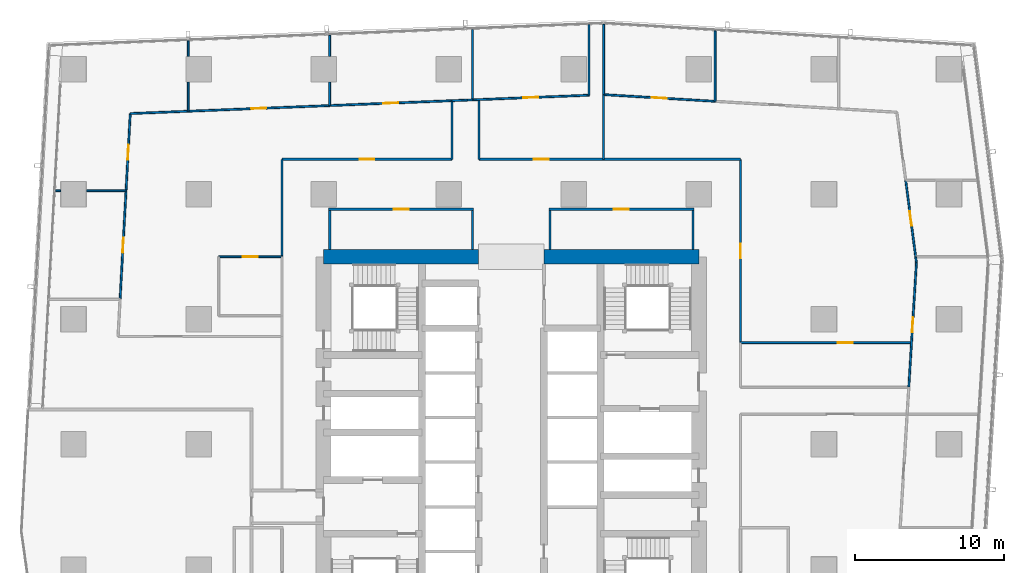
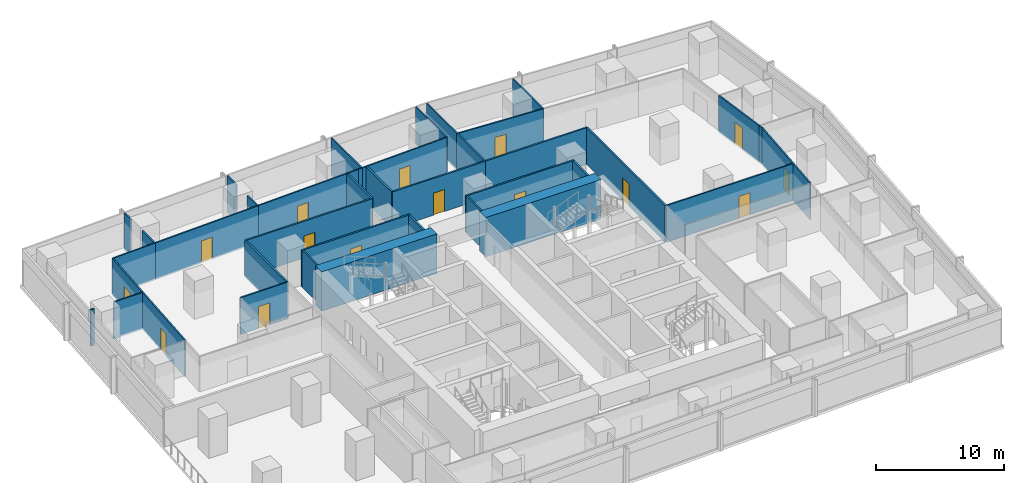
# One storey, part 29 of 38: 40 walls, 15 doors, 15 openings.
"""IFC4 building model written with IfcOpenShell, lengths in metres."""

from ifc_helpers import new_model, si_unit, direction, frame, frame_2d, origin, place, context, subcontext, project, spatial, rectangle, extrude, material, layer, layer_set, type_object, element, fill, save


model = new_model("IFC4")

# Units and contexts
model_context = context("Model", 3, precision=1e-05, world=origin(), true_north=direction((0.0, 1.0)))
body_context = subcontext(model_context, "Body", "Model", "MODEL_VIEW")
ifc_project = project(units=[si_unit("LENGTHUNIT", "METRE"), si_unit("AREAUNIT", "SQUARE_METRE"), si_unit("VOLUMEUNIT", "CUBIC_METRE"), si_unit("PLANEANGLEUNIT", "RADIAN"), si_unit("MASSUNIT", "GRAM", prefix="KILO")], contexts=[model_context])

# Site, building, storey
site_placement = place(None, origin())
site = spatial("IfcSite", under=ifc_project, at=site_placement, CompositionType="ELEMENT")
building_placement = place(site_placement, origin())
building = spatial("IfcBuilding", under=site, at=building_placement, Name="Rekha Terrace Tower", CompositionType="ELEMENT")
storey_placement = place(building_placement, frame((0.0, 0.0, 114.050048828125)))
storey = spatial("IfcBuildingStorey", under=building, at=storey_placement, Name="L28", CompositionType="ELEMENT", Elevation=114.050048828125)

# Walls
ifc_material_1 = material(Name="Concrete M70", Category="concrete")
ifc_layer_1 = layer(ifc_material_1, 1.0)
ifc_layer_set_1 = layer_set([ifc_layer_1], Name="Concrete M70")
wall_type_1 = type_object("IfcWallType", Name="SW2 1000 core outer shear wall", PredefinedType="SHEAR", material=ifc_layer_set_1)
wall_1_placement = place(storey_placement, frame((25.199951171875, 46.199951171875, 0.0), z_axis=(0.0, 0.0, 1.0), x_axis=(1.0, 0.0, 0.0)))
element("IfcWall", 1, at=wall_1_placement, inside=storey, type_object=wall_type_1, Name="Core wall N1 L28", PredefinedType="SHEAR", context=body_context, shape_type="SweptSolid", body=[
    extrude(rectangle(XDim=10.400146484375, YDim=1.0, at=frame_2d((5.2001953125, 0.0))), origin(), (0.0, 0.0, 1.0), 3.75),
])
wall_2_placement = place(storey_placement, frame((40.0, 46.199951171875, 0.0), z_axis=(0.0, 0.0, 1.0), x_axis=(1.0, 0.0, 0.0)))
element("IfcWall", 2, at=wall_2_placement, inside=storey, type_object=wall_type_1, Name="Core wall N2 L28", PredefinedType="SHEAR", context=body_context, shape_type="SweptSolid", body=[
    extrude(rectangle(XDim=10.39990234375, YDim=1.0, at=frame_2d((5.199951171875, 0.0))), origin(), (0.0, 0.0, 1.0), 3.75),
])

# Wall, opening, door
ifc_material_2 = material(Name="Concrete block masonry, 1 hour", Category="masonry")
ifc_layer_2 = layer(ifc_material_2, 0.14990234375)
ifc_layer_set_2 = layer_set([ifc_layer_2], Name="Concrete block masonry, 1 hour")
wall_type_2 = type_object("IfcWallType", Name="WP2 150 tenancy partition", PredefinedType="PARTITIONING", material=ifc_layer_set_2)
wall_3_placement = place(storey_placement, frame((40.324951171875, 49.39990234375, 0.0), z_axis=(0.0, 0.0, 1.0), x_axis=(1.0, 0.0, 0.0)))
wall_3 = element("IfcWall", 3, at=wall_3_placement, inside=storey, type_object=wall_type_2, Name="Women's WC wall L28", PredefinedType="PARTITIONING", context=body_context, shape_type="SweptSolid", body=[
    extrude(rectangle(XDim=9.75, YDim=0.14990234375, at=frame_2d((4.875, 0.0))), origin(), (0.0, 0.0, 1.0), 3.5),
])
opening_1_placement = place(wall_3_placement, frame((4.375, 0.0, 0.0)))
opening_1 = element("IfcOpeningElement", 4, at=opening_1_placement, cuts=wall_3, Name="Opening D3", PredefinedType="OPENING", context=body_context, shape_type="SweptSolid", body=[
    extrude(rectangle(XDim=1.0, YDim=2.10009765625, at=frame_2d((0.5, 1.050048828125))), frame((0.0, 0.0849609375, 0.0), z_axis=(0.0, -1.0, 0.0), x_axis=(1.0, 0.0, 0.0)), (0.0, 0.0, 1.0), 0.169921875),
])
ifc_material_3 = material(Name="Laminated timber fire door", Category="wood")
door_type_1 = type_object("IfcDoorType", Name="D3 1000x2100 WC door", OperationType="SINGLE_SWING_LEFT", PredefinedType="DOOR", material=ifc_material_3)
door_1_placement = place(opening_1_placement, origin())
door_1 = element("IfcDoor", 5, at=door_1_placement, inside=storey, type_object=door_type_1, Name="Door women's wc L28", OperationType="SINGLE_SWING_LEFT", OverallHeight=2.10009765625, OverallWidth=1.0, PredefinedType="DOOR", context=body_context, shape_type="SweptSolid", body=[
    extrude(rectangle(XDim=1.0, YDim=2.10009765625, at=frame_2d((0.5, 1.050048828125))), frame((0.0, 0.02490234375, 0.0), z_axis=(0.0, -1.0, 0.0), x_axis=(1.0, 0.0, 0.0)), (0.0, 0.0, 1.0), 0.050048828125),
])
fill(opening_1, door_1)

# Walls
for number, where, z_axis, x_axis, name in (
    (6, (40.39990234375, 46.699951171875, 0.0), (0.0, 0.0, 1.0), (0.0, 1.0, 0.0), "Women's WC wall L28"),
    (7, (50.0, 46.699951171875, 0.0), (0.0, 0.0, 1.0), (0.0, 1.0, 0.0), "Women's WC wall L28"),
):
    element("IfcWall", number, at=place(storey_placement, frame(where, z_axis=z_axis, x_axis=x_axis)), inside=storey, type_object=wall_type_2, Name=name, PredefinedType="PARTITIONING", context=body_context, shape_type="SweptSolid", body=[
        extrude(rectangle(XDim=2.625, YDim=0.14990234375, at=frame_2d((1.3125, 0.0))), origin(), (0.0, 0.0, 1.0), 3.5),
    ])

# Wall, opening, door
wall_4_placement = place(storey_placement, frame((25.52490234375, 49.39990234375, 0.0), z_axis=(0.0, 0.0, 1.0), x_axis=(1.0, 0.0, 0.0)))
wall_4 = element("IfcWall", 8, at=wall_4_placement, inside=storey, type_object=wall_type_2, Name="Women's WC wall L28", PredefinedType="PARTITIONING", context=body_context, shape_type="SweptSolid", body=[
    extrude(rectangle(XDim=9.75, YDim=0.14990234375, at=frame_2d((4.875, 0.0))), origin(), (0.0, 0.0, 1.0), 3.5),
])
opening_2_placement = place(wall_4_placement, frame((4.375, 0.0, 0.0)))
opening_2 = element("IfcOpeningElement", 9, at=opening_2_placement, cuts=wall_4, Name="Opening D3", PredefinedType="OPENING", context=body_context, shape_type="SweptSolid", body=[
    extrude(rectangle(XDim=1.0, YDim=2.10009765625, at=frame_2d((0.5, 1.050048828125))), frame((0.0, 0.0849609375, 0.0), z_axis=(0.0, -1.0, 0.0), x_axis=(1.0, 0.0, 0.0)), (0.0, 0.0, 1.0), 0.169921875),
])
door_2_placement = place(opening_2_placement, origin())
door_2 = element("IfcDoor", 10, at=door_2_placement, inside=storey, type_object=door_type_1, Name="Door women's wc L28", OperationType="SINGLE_SWING_LEFT", OverallHeight=2.10009765625, OverallWidth=1.0, PredefinedType="DOOR", context=body_context, shape_type="SweptSolid", body=[
    extrude(rectangle(XDim=1.0, YDim=2.10009765625, at=frame_2d((0.5, 1.050048828125))), frame((0.0, 0.02490234375, 0.0), z_axis=(0.0, -1.0, 0.0), x_axis=(1.0, 0.0, 0.0)), (0.0, 0.0, 1.0), 0.050048828125),
])
fill(opening_2, door_2)

# Walls
for number, where, z_axis, x_axis, name in (
    (11, (25.60009765625, 46.699951171875, 0.0), (0.0, 0.0, 1.0), (0.0, 1.0, 0.0), "Women's WC wall L28"),
    (12, (35.199951171875, 46.699951171875, 0.0), (0.0, 0.0, 1.0), (0.0, 1.0, 0.0), "Women's WC wall L28"),
):
    element("IfcWall", number, at=place(storey_placement, frame(where, z_axis=z_axis, x_axis=x_axis)), inside=storey, type_object=wall_type_2, Name=name, PredefinedType="PARTITIONING", context=body_context, shape_type="SweptSolid", body=[
        extrude(rectangle(XDim=2.625, YDim=0.14990234375, at=frame_2d((1.3125, 0.0))), origin(), (0.0, 0.0, 1.0), 3.5),
    ])

# Wall, opening, door
wall_5_placement = place(storey_placement, frame((53.199951171875, 40.43310546875, 0.0), z_axis=(0.0, 0.0, 1.0), x_axis=(0.0, 1.0, 0.0)))
wall_5 = element("IfcWall", 13, at=wall_5_placement, inside=storey, type_object=wall_type_2, Name="Partition L28-O1", PredefinedType="PARTITIONING", context=body_context, shape_type="SweptSolid", body=[
    extrude(rectangle(XDim=12.31689453125, YDim=0.14990234375, at=frame_2d((6.158447265625, 0.0))), origin(), (0.0, 0.0, 1.0), 3.5),
])
opening_3_placement = place(wall_5_placement, frame((5.657958984375, 0.0, 0.0)))
opening_3 = element("IfcOpeningElement", 14, at=opening_3_placement, cuts=wall_5, Name="Opening D9", PredefinedType="OPENING", context=body_context, shape_type="SweptSolid", body=[
    extrude(rectangle(XDim=1.0, YDim=2.10009765625, at=frame_2d((0.5, 1.050048828125))), frame((0.0, 0.0849609375, 0.0), z_axis=(0.0, -1.0, 0.0), x_axis=(1.0, 0.0, 0.0)), (0.0, 0.0, 1.0), 0.169921875),
])
ifc_material_4 = material(Name="Timber fire door", Category="wood")
door_type_2 = type_object("IfcDoorType", Name="D9 1000x2100 office door", OperationType="SINGLE_SWING_LEFT", PredefinedType="DOOR", material=ifc_material_4)
door_3_placement = place(opening_3_placement, origin())
door_3 = element("IfcDoor", 15, at=door_3_placement, inside=storey, type_object=door_type_2, Name="Door open-plan office L28", OperationType="SINGLE_SWING_LEFT", OverallHeight=2.10009765625, OverallWidth=1.0, PredefinedType="DOOR", context=body_context, shape_type="SweptSolid", body=[
    extrude(rectangle(XDim=1.0, YDim=2.10009765625, at=frame_2d((0.5, 1.050048828125))), frame((0.0, 0.02490234375, 0.0), z_axis=(0.0, -1.0, 0.0), x_axis=(1.0, 0.0, 0.0)), (0.0, 0.0, 1.0), 0.050048828125),
])
fill(opening_3, door_3)

# Walls
wall_6_placement = place(storey_placement, frame((53.199951171875, 52.75, 0.0), z_axis=(0.0, 0.0, 1.0), x_axis=(-1.0, 0.0, 0.0)))
element("IfcWall", 16, at=wall_6_placement, inside=storey, type_object=wall_type_2, Name="Partition L28-O1", PredefinedType="PARTITIONING", context=body_context, shape_type="SweptSolid", body=[
    extrude(rectangle(XDim=9.196044921875, YDim=0.14990234375, at=frame_2d((4.59814453125, 0.0))), origin(), (0.0, 0.0, 1.0), 3.5),
])
wall_7_placement = place(storey_placement, frame((44.00390625, 52.75, 0.0), z_axis=(0.0, 0.0, 1.0), x_axis=(0.0, 1.0, 0.0)))
element("IfcWall", 17, at=wall_7_placement, inside=storey, type_object=wall_type_2, Name="Partition L28-O1", PredefinedType="PARTITIONING", context=body_context, shape_type="SweptSolid", body=[
    extrude(rectangle(XDim=4.343017578125, YDim=0.14990234375, at=frame_2d((2.17138671875, 0.0))), origin(), (0.0, 0.0, 1.0), 3.5),
])
wall_8_placement = place(storey_placement, frame((33.825927734375, 56.68701171875, 0.0), z_axis=(0.0, 0.0, 1.0), x_axis=(0.0, -1.0, 0.0)))
element("IfcWall", 18, at=wall_8_placement, inside=storey, type_object=wall_type_2, Name="Partition L28-O2", PredefinedType="PARTITIONING", context=body_context, shape_type="SweptSolid", body=[
    extrude(rectangle(XDim=3.93701171875, YDim=0.14990234375, at=frame_2d((1.968505859375, 0.0))), origin(), (0.0, 0.0, 1.0), 3.5),
])

# Wall, opening, door
wall_9_placement = place(storey_placement, frame((33.825927734375, 52.75, 0.0), z_axis=(0.0, 0.0, 1.0), x_axis=(-1.0, 0.0, 0.0)))
wall_9 = element("IfcWall", 19, at=wall_9_placement, inside=storey, type_object=wall_type_2, Name="Partition L28-O2", PredefinedType="PARTITIONING", context=body_context, shape_type="SweptSolid", body=[
    extrude(rectangle(XDim=11.426025390625, YDim=0.14990234375, at=frame_2d((5.712890625, 0.0))), origin(), (0.0, 0.0, 1.0), 3.5),
])
opening_4_placement = place(wall_9_placement, frame((5.212890625, 0.0, 0.0)))
opening_4 = element("IfcOpeningElement", 20, at=opening_4_placement, cuts=wall_9, Name="Opening D9", PredefinedType="OPENING", context=body_context, shape_type="SweptSolid", body=[
    extrude(rectangle(XDim=1.0, YDim=2.10009765625, at=frame_2d((0.5, 1.050048828125))), frame((0.0, 0.0849609375, 0.0), z_axis=(0.0, -1.0, 0.0), x_axis=(1.0, 0.0, 0.0)), (0.0, 0.0, 1.0), 0.169921875),
])
door_4_placement = place(opening_4_placement, origin())
door_4 = element("IfcDoor", 21, at=door_4_placement, inside=storey, type_object=door_type_2, Name="Door open-plan office L28", OperationType="SINGLE_SWING_LEFT", OverallHeight=2.10009765625, OverallWidth=1.0, PredefinedType="DOOR", context=body_context, shape_type="SweptSolid", body=[
    extrude(rectangle(XDim=1.0, YDim=2.10009765625, at=frame_2d((0.5, 1.050048828125))), frame((0.0, 0.02490234375, 0.0), z_axis=(0.0, -1.0, 0.0), x_axis=(1.0, 0.0, 0.0)), (0.0, 0.0, 1.0), 0.050048828125),
])
fill(opening_4, door_4)

# Wall
wall_10_placement = place(storey_placement, frame((22.39990234375, 52.75, 0.0), z_axis=(0.0, 0.0, 1.0), x_axis=(0.0, -1.0, 0.0)))
element("IfcWall", 22, at=wall_10_placement, inside=storey, type_object=wall_type_2, Name="Partition L28-O2", PredefinedType="PARTITIONING", context=body_context, shape_type="SweptSolid", body=[
    extrude(rectangle(XDim=6.550048828125, YDim=0.14990234375, at=frame_2d((3.27490234375, 0.0))), origin(), (0.0, 0.0, 1.0), 3.5),
])

# Wall, opening, door
wall_11_placement = place(storey_placement, frame((44.0029296875, 52.75, 0.0), z_axis=(0.0, 0.0, 1.0), x_axis=(-1.0, 0.0, 0.0)))
wall_11 = element("IfcWall", 23, at=wall_11_placement, inside=storey, type_object=wall_type_2, Name="Partition L28-O2b", PredefinedType="PARTITIONING", context=body_context, shape_type="SweptSolid", body=[
    extrude(rectangle(XDim=8.376953125, YDim=0.14990234375, at=frame_2d((4.1884765625, 0.0))), origin(), (0.0, 0.0, 1.0), 3.5),
])
opening_5_placement = place(wall_11_placement, frame((3.68896484375, 0.0, 0.0)))
opening_5 = element("IfcOpeningElement", 24, at=opening_5_placement, cuts=wall_11, Name="Opening D9", PredefinedType="OPENING", context=body_context, shape_type="SweptSolid", body=[
    extrude(rectangle(XDim=1.0, YDim=2.10009765625, at=frame_2d((0.5, 1.050048828125))), frame((0.0, 0.0849609375, 0.0), z_axis=(0.0, -1.0, 0.0), x_axis=(1.0, 0.0, 0.0)), (0.0, 0.0, 1.0), 0.169921875),
])
door_5_placement = place(opening_5_placement, origin())
door_5 = element("IfcDoor", 25, at=door_5_placement, inside=storey, type_object=door_type_2, Name="Door open-plan office L28", OperationType="SINGLE_SWING_LEFT", OverallHeight=2.10009765625, OverallWidth=1.0, PredefinedType="DOOR", context=body_context, shape_type="SweptSolid", body=[
    extrude(rectangle(XDim=1.0, YDim=2.10009765625, at=frame_2d((0.5, 1.050048828125))), frame((0.0, 0.02490234375, 0.0), z_axis=(0.0, -1.0, 0.0), x_axis=(1.0, 0.0, 0.0)), (0.0, 0.0, 1.0), 0.050048828125),
])
fill(opening_5, door_5)

# Wall
wall_12_placement = place(storey_placement, frame((35.6259765625, 52.75, 0.0), z_axis=(0.0, 0.0, 1.0), x_axis=(0.0, 1.0, 0.0)))
element("IfcWall", 26, at=wall_12_placement, inside=storey, type_object=wall_type_2, Name="Partition L28-O2b", PredefinedType="PARTITIONING", context=body_context, shape_type="SweptSolid", body=[
    extrude(rectangle(XDim=3.946044921875, YDim=0.14990234375, at=frame_2d((1.97314453125, 0.0))), origin(), (0.0, 0.0, 1.0), 3.5),
])

# Wall, opening, door
ifc_material_5 = material(Name="Two layers of fire-rated gypsum board each side on steel studs, acoustic quilt, 1 hour", Category="steel")
ifc_layer_3 = layer(ifc_material_5, 0.125)
ifc_layer_set_3 = layer_set([ifc_layer_3], Name="Two layers of fire-rated gypsum board each side on steel studs, acoustic quilt, 1 hour")
wall_type_3 = type_object("IfcWallType", Name="WP3 125 office partition", PredefinedType="PARTITIONING", material=ifc_layer_set_3)
wall_13_placement = place(storey_placement, frame((64.50390625, 37.43701171875, 0.0), z_axis=(0.0, 0.0, 1.0), x_axis=(0.061198263672, 0.99812562963, 0.0)))
wall_13 = element("IfcWall", 27, at=wall_13_placement, inside=storey, type_object=wall_type_3, Name="Partition L28-06", PredefinedType="PARTITIONING", context=body_context, shape_type="SweptSolid", body=[
    extrude(rectangle(XDim=8.385498046875, YDim=0.125, at=frame_2d((4.19287109375, 0.0))), origin(), (0.0, 0.0, 1.0), 3.5),
])
opening_6_placement = place(wall_13_placement, frame((3.693115234375, 0.0, 0.0)))
opening_6 = element("IfcOpeningElement", 28, at=opening_6_placement, cuts=wall_13, Name="Opening D9", PredefinedType="OPENING", context=body_context, shape_type="SweptSolid", body=[
    extrude(rectangle(XDim=1.0, YDim=2.10009765625, at=frame_2d((0.5, 1.050048828125))), frame((0.0, 0.072509765625, 0.0), z_axis=(0.0, -1.0, 0.0), x_axis=(1.0, 0.0, 0.0)), (0.0, 0.0, 1.0), 0.14501953125),
])
door_6_placement = place(opening_6_placement, origin())
door_6 = element("IfcDoor", 29, at=door_6_placement, inside=storey, type_object=door_type_2, Name="Door office L28", OperationType="SINGLE_SWING_LEFT", OverallHeight=2.10009765625, OverallWidth=1.0, PredefinedType="DOOR", context=body_context, shape_type="SweptSolid", body=[
    extrude(rectangle(XDim=1.0, YDim=2.10009765625, at=frame_2d((0.5, 1.050048828125))), frame((0.0, 0.02490234375, 0.0), z_axis=(0.0, -1.0, 0.0), x_axis=(1.0, 0.0, 0.0)), (0.0, 0.0, 1.0), 0.050048828125),
])
fill(opening_6, door_6)

# Wall
wall_14_placement = place(storey_placement, frame((65.01708984375, 45.806884765625, 0.0), z_axis=(0.0, 0.0, 1.0), x_axis=(-0.130003962442, 0.991513474316, 0.0)))
element("IfcWall", 30, at=wall_14_placement, inside=storey, type_object=wall_type_3, Name="Partition L28-06", PredefinedType="PARTITIONING", context=body_context, shape_type="SweptSolid", body=[
    extrude(rectangle(XDim=0.392578125, YDim=0.125, at=frame_2d((0.1962890625, 0.0))), origin(), (0.0, 0.0, 1.0), 3.5),
])

# Wall, opening, door
wall_15_placement = place(storey_placement, frame((64.966064453125, 46.197021484375, 0.0), z_axis=(0.0, 0.0, 1.0), x_axis=(-0.12903517346, 0.99164001735, 0.0)))
wall_15 = element("IfcWall", 31, at=wall_15_placement, inside=storey, type_object=wall_type_3, Name="Partition L28-07", PredefinedType="PARTITIONING", context=body_context, shape_type="SweptSolid", body=[
    extrude(rectangle(XDim=5.184326171875, YDim=0.125, at=frame_2d((2.59228515625, 0.0))), origin(), (0.0, 0.0, 1.0), 3.5),
])
opening_7_placement = place(wall_15_placement, frame((2.092041015625, 0.0, 0.0)))
opening_7 = element("IfcOpeningElement", 32, at=opening_7_placement, cuts=wall_15, Name="Opening D9", PredefinedType="OPENING", context=body_context, shape_type="SweptSolid", body=[
    extrude(rectangle(XDim=1.0, YDim=2.10009765625, at=frame_2d((0.5, 1.050048828125))), frame((0.0, 0.072509765625, 0.0), z_axis=(0.0, -1.0, 0.0), x_axis=(1.0, 0.0, 0.0)), (0.0, 0.0, 1.0), 0.14501953125),
])
door_7_placement = place(opening_7_placement, origin())
door_7 = element("IfcDoor", 33, at=door_7_placement, inside=storey, type_object=door_type_2, Name="Door office L28", OperationType="SINGLE_SWING_LEFT", OverallHeight=2.10009765625, OverallWidth=1.0, PredefinedType="DOOR", context=body_context, shape_type="SweptSolid", body=[
    extrude(rectangle(XDim=1.0, YDim=2.10009765625, at=frame_2d((0.5, 1.050048828125))), frame((0.0, 0.02490234375, 0.0), z_axis=(0.0, -1.0, 0.0), x_axis=(1.0, 0.0, 0.0)), (0.0, 0.0, 1.0), 0.050048828125),
])
fill(opening_7, door_7)

# Wall
wall_16_placement = place(storey_placement, frame((51.4951171875, 56.64306640625, 0.0), z_axis=(0.0, 0.0, 1.0), x_axis=(0.0, 1.0, 0.0)))
element("IfcWall", 34, at=wall_16_placement, inside=storey, type_object=wall_type_3, Name="Partition L28-09", PredefinedType="PARTITIONING", context=body_context, shape_type="SweptSolid", body=[
    extrude(rectangle(XDim=4.72900390625, YDim=0.125, at=frame_2d((2.364501953125, 0.0))), origin(), (0.0, 0.0, 1.0), 3.5),
])

# Wall, opening, door
wall_17_placement = place(storey_placement, frame((51.493896484375, 56.64306640625, 0.0), z_axis=(0.0, 0.0, 1.0), x_axis=(-0.998200446595, 0.059965560255, 0.0)))
wall_17 = element("IfcWall", 35, at=wall_17_placement, inside=storey, type_object=wall_type_3, Name="Partition L28-10", PredefinedType="PARTITIONING", context=body_context, shape_type="SweptSolid", body=[
    extrude(rectangle(XDim=7.50341796875, YDim=0.125, at=frame_2d((3.751708984375, 0.0))), origin(), (0.0, 0.0, 1.0), 3.5),
])
opening_8_placement = place(wall_17_placement, frame((3.251953125, 0.0, 0.0)))
opening_8 = element("IfcOpeningElement", 36, at=opening_8_placement, cuts=wall_17, Name="Opening D9", PredefinedType="OPENING", context=body_context, shape_type="SweptSolid", body=[
    extrude(rectangle(XDim=1.0, YDim=2.10009765625, at=frame_2d((0.5, 1.050048828125))), frame((0.0, 0.072509765625, 0.0), z_axis=(0.0, -1.0, 0.0), x_axis=(1.0, 0.0, 0.0)), (0.0, 0.0, 1.0), 0.14501953125),
])
door_8_placement = place(opening_8_placement, origin())
door_8 = element("IfcDoor", 37, at=door_8_placement, inside=storey, type_object=door_type_2, Name="Door office L28", OperationType="SINGLE_SWING_LEFT", OverallHeight=2.10009765625, OverallWidth=1.0, PredefinedType="DOOR", context=body_context, shape_type="SweptSolid", body=[
    extrude(rectangle(XDim=1.0, YDim=2.10009765625, at=frame_2d((0.5, 1.050048828125))), frame((0.0, 0.02490234375, 0.0), z_axis=(0.0, -1.0, 0.0), x_axis=(1.0, 0.0, 0.0)), (0.0, 0.0, 1.0), 0.050048828125),
])
fill(opening_8, door_8)

# Wall
wall_18_placement = place(storey_placement, frame((44.00390625, 57.093017578125, 0.0), z_axis=(0.0, 0.0, 1.0), x_axis=(0.0, 1.0, 0.0)))
element("IfcWall", 38, at=wall_18_placement, inside=storey, type_object=wall_type_3, Name="Partition L28-10", PredefinedType="PARTITIONING", context=body_context, shape_type="SweptSolid", body=[
    extrude(rectangle(XDim=4.72607421875, YDim=0.125, at=frame_2d((2.363037109375, 0.0))), origin(), (0.0, 0.0, 1.0), 3.5),
])

# Wall, opening, door
wall_19_placement = place(storey_placement, frame((53.199951171875, 40.43310546875, 0.0), z_axis=(0.0, 0.0, 1.0), x_axis=(1.0, 0.0, 0.0)))
wall_19 = element("IfcWall", 39, at=wall_19_placement, inside=storey, type_object=wall_type_3, Name="Partition L28-12", PredefinedType="PARTITIONING", context=body_context, shape_type="SweptSolid", body=[
    extrude(rectangle(XDim=11.425048828125, YDim=0.125, at=frame_2d((5.71240234375, 0.0))), origin(), (0.0, 0.0, 1.0), 3.5),
])
opening_9_placement = place(wall_19_placement, frame((6.5439453125, 0.0, 0.0)))
opening_9 = element("IfcOpeningElement", 40, at=opening_9_placement, cuts=wall_19, Name="Opening D9", PredefinedType="OPENING", context=body_context, shape_type="SweptSolid", body=[
    extrude(rectangle(XDim=1.0, YDim=2.10009765625, at=frame_2d((0.5, 1.050048828125))), frame((0.0, 0.072509765625, 0.0), z_axis=(0.0, -1.0, 0.0), x_axis=(1.0, 0.0, 0.0)), (0.0, 0.0, 1.0), 0.14501953125),
])
door_9_placement = place(opening_9_placement, origin())
door_9 = element("IfcDoor", 41, at=door_9_placement, inside=storey, type_object=door_type_2, Name="Door meeting room L28", OperationType="SINGLE_SWING_LEFT", OverallHeight=2.10009765625, OverallWidth=1.0, PredefinedType="DOOR", context=body_context, shape_type="SweptSolid", body=[
    extrude(rectangle(XDim=1.0, YDim=2.10009765625, at=frame_2d((0.5, 1.050048828125))), frame((0.0, 0.02490234375, 0.0), z_axis=(0.0, -1.0, 0.0), x_axis=(1.0, 0.0, 0.0)), (0.0, 0.0, 1.0), 0.050048828125),
])
fill(opening_9, door_9)

wall_20_placement = place(storey_placement, frame((43.02294921875, 57.054931640625, 0.0), z_axis=(0.0, 0.0, 1.0), x_axis=(-0.999200609991, -0.039976755672, 0.0)))
wall_20 = element("IfcWall", 42, at=wall_20_placement, inside=storey, type_object=wall_type_3, Name="Partition L28-13", PredefinedType="PARTITIONING", context=body_context, shape_type="SweptSolid", body=[
    extrude(rectangle(XDim=7.829345703125, YDim=0.125, at=frame_2d((3.91455078125, 0.0))), origin(), (0.0, 0.0, 1.0), 3.5),
])
opening_10_placement = place(wall_20_placement, frame((3.4150390625, 0.0, 0.0)))
opening_10 = element("IfcOpeningElement", 43, at=opening_10_placement, cuts=wall_20, Name="Opening D9", PredefinedType="OPENING", context=body_context, shape_type="SweptSolid", body=[
    extrude(rectangle(XDim=1.0, YDim=2.10009765625, at=frame_2d((0.5, 1.050048828125))), frame((0.0, 0.072509765625, 0.0), z_axis=(0.0, -1.0, 0.0), x_axis=(1.0, 0.0, 0.0)), (0.0, 0.0, 1.0), 0.14501953125),
])
door_10_placement = place(opening_10_placement, origin())
door_10 = element("IfcDoor", 44, at=door_10_placement, inside=storey, type_object=door_type_2, Name="Door office L28", OperationType="SINGLE_SWING_LEFT", OverallHeight=2.10009765625, OverallWidth=1.0, PredefinedType="DOOR", context=body_context, shape_type="SweptSolid", body=[
    extrude(rectangle(XDim=1.0, YDim=2.10009765625, at=frame_2d((0.5, 1.050048828125))), frame((0.0, 0.02490234375, 0.0), z_axis=(0.0, -1.0, 0.0), x_axis=(1.0, 0.0, 0.0)), (0.0, 0.0, 1.0), 0.050048828125),
])
fill(opening_10, door_10)

# Walls
wall_21_placement = place(storey_placement, frame((35.199951171875, 56.741943359375, 0.0), z_axis=(0.0, 0.0, 1.0), x_axis=(0.0, 1.0, 0.0)))
element("IfcWall", 45, at=wall_21_placement, inside=storey, type_object=wall_type_3, Name="Partition L28-13", PredefinedType="PARTITIONING", context=body_context, shape_type="SweptSolid", body=[
    extrude(rectangle(XDim=4.72412109375, YDim=0.125, at=frame_2d((2.362060546875, 0.0))), origin(), (0.0, 0.0, 1.0), 3.5),
])
wall_22_placement = place(storey_placement, frame((43.02294921875, 61.80908203125, 0.0), z_axis=(0.0, 0.0, 1.0), x_axis=(0.0, -1.0, 0.0)))
element("IfcWall", 46, at=wall_22_placement, inside=storey, type_object=wall_type_3, Name="Partition L28-13", PredefinedType="PARTITIONING", context=body_context, shape_type="SweptSolid", body=[
    extrude(rectangle(XDim=4.754150390625, YDim=0.125, at=frame_2d((2.376953125, 0.0))), origin(), (0.0, 0.0, 1.0), 3.5),
])
wall_23_placement = place(storey_placement, frame((35.198974609375, 56.741943359375, 0.0), z_axis=(0.0, 0.0, 1.0), x_axis=(-0.999152976468, -0.041150086459, 0.0)))
element("IfcWall", 47, at=wall_23_placement, inside=storey, type_object=wall_type_3, Name="Partition L28-14", PredefinedType="PARTITIONING", context=body_context, shape_type="SweptSolid", body=[
    extrude(rectangle(XDim=0.338134765625, YDim=0.125, at=frame_2d((0.1689453125, 0.0))), origin(), (0.0, 0.0, 1.0), 3.5),
])
wall_24_placement = place(storey_placement, frame((34.861083984375, 56.72802734375, 0.0), z_axis=(0.0, 0.0, 1.0), x_axis=(-0.999215946215, -0.039591575227, 0.0)))
element("IfcWall", 48, at=wall_24_placement, inside=storey, type_object=wall_type_3, Name="Partition L28-14", PredefinedType="PARTITIONING", context=body_context, shape_type="SweptSolid", body=[
    extrude(rectangle(XDim=1.035888671875, YDim=0.125, at=frame_2d((0.51806640625, 0.0))), origin(), (0.0, 0.0, 1.0), 3.5),
])

# Wall, opening, door
wall_25_placement = place(storey_placement, frame((33.825927734375, 56.68701171875, 0.0), z_axis=(0.0, 0.0, 1.0), x_axis=(-0.999195881708, -0.040094762475, 0.0)))
wall_25 = element("IfcWall", 49, at=wall_25_placement, inside=storey, type_object=wall_type_3, Name="Partition L28-14", PredefinedType="PARTITIONING", context=body_context, shape_type="SweptSolid", body=[
    extrude(rectangle(XDim=8.232421875, YDim=0.125, at=frame_2d((4.1162109375, 0.0))), origin(), (0.0, 0.0, 1.0), 3.5),
])
opening_11_placement = place(wall_25_placement, frame((3.615966796875, 0.0, 0.0)))
opening_11 = element("IfcOpeningElement", 50, at=opening_11_placement, cuts=wall_25, Name="Opening D9", PredefinedType="OPENING", context=body_context, shape_type="SweptSolid", body=[
    extrude(rectangle(XDim=1.0, YDim=2.10009765625, at=frame_2d((0.5, 1.050048828125))), frame((0.0, 0.072509765625, 0.0), z_axis=(0.0, -1.0, 0.0), x_axis=(1.0, 0.0, 0.0)), (0.0, 0.0, 1.0), 0.14501953125),
])
door_11_placement = place(opening_11_placement, origin())
door_11 = element("IfcDoor", 51, at=door_11_placement, inside=storey, type_object=door_type_2, Name="Door office L28", OperationType="SINGLE_SWING_LEFT", OverallHeight=2.10009765625, OverallWidth=1.0, PredefinedType="DOOR", context=body_context, shape_type="SweptSolid", body=[
    extrude(rectangle(XDim=1.0, YDim=2.10009765625, at=frame_2d((0.5, 1.050048828125))), frame((0.0, 0.02490234375, 0.0), z_axis=(0.0, -1.0, 0.0), x_axis=(1.0, 0.0, 0.0)), (0.0, 0.0, 1.0), 0.050048828125),
])
fill(opening_11, door_11)

# Walls
wall_26_placement = place(storey_placement, frame((25.60009765625, 56.35693359375, 0.0), z_axis=(0.0, 0.0, 1.0), x_axis=(0.0, 1.0, 0.0)))
element("IfcWall", 52, at=wall_26_placement, inside=storey, type_object=wall_type_3, Name="Partition L28-14", PredefinedType="PARTITIONING", context=body_context, shape_type="SweptSolid", body=[
    extrude(rectangle(XDim=1.572998046875, YDim=0.125, at=frame_2d((0.78662109375, 0.0))), origin(), (0.0, 0.0, 1.0), 3.5),
])
wall_27_placement = place(storey_placement, frame((25.60009765625, 59.669921875, 0.0), z_axis=(0.0, 0.0, 1.0), x_axis=(0.0, 1.0, 0.0)))
element("IfcWall", 53, at=wall_27_placement, inside=storey, type_object=wall_type_3, Name="Partition L28-14", PredefinedType="PARTITIONING", context=body_context, shape_type="SweptSolid", body=[
    extrude(rectangle(XDim=1.4111328125, YDim=0.125, at=frame_2d((0.70556640625, 0.0))), origin(), (0.0, 0.0, 1.0), 3.5),
])

# Wall, opening, door
wall_28_placement = place(storey_placement, frame((25.59912109375, 56.35693359375, 0.0), z_axis=(0.0, 0.0, 1.0), x_axis=(-0.999200958722, -0.039968038349, 0.0)))
wall_28 = element("IfcWall", 54, at=wall_28_placement, inside=storey, type_object=wall_type_3, Name="Partition L28-15", PredefinedType="PARTITIONING", context=body_context, shape_type="SweptSolid", body=[
    extrude(rectangle(XDim=9.504638671875, YDim=0.125, at=frame_2d((4.75244140625, 0.0))), origin(), (0.0, 0.0, 1.0), 3.5),
])
opening_12_placement = place(wall_28_placement, frame((4.251953125, 0.0, 0.0)))
opening_12 = element("IfcOpeningElement", 55, at=opening_12_placement, cuts=wall_28, Name="Opening D9", PredefinedType="OPENING", context=body_context, shape_type="SweptSolid", body=[
    extrude(rectangle(XDim=1.0, YDim=2.10009765625, at=frame_2d((0.5, 1.050048828125))), frame((0.0, 0.072509765625, 0.0), z_axis=(0.0, -1.0, 0.0), x_axis=(1.0, 0.0, 0.0)), (0.0, 0.0, 1.0), 0.14501953125),
])
door_12_placement = place(opening_12_placement, origin())
door_12 = element("IfcDoor", 56, at=door_12_placement, inside=storey, type_object=door_type_2, Name="Door office L28", OperationType="SINGLE_SWING_LEFT", OverallHeight=2.10009765625, OverallWidth=1.0, PredefinedType="DOOR", context=body_context, shape_type="SweptSolid", body=[
    extrude(rectangle(XDim=1.0, YDim=2.10009765625, at=frame_2d((0.5, 1.050048828125))), frame((0.0, 0.02490234375, 0.0), z_axis=(0.0, -1.0, 0.0), x_axis=(1.0, 0.0, 0.0)), (0.0, 0.0, 1.0), 0.050048828125),
])
fill(opening_12, door_12)

# Walls
wall_29_placement = place(storey_placement, frame((16.10205078125, 55.97705078125, 0.0), z_axis=(0.0, 0.0, 1.0), x_axis=(0.0, 1.0, 0.0)))
element("IfcWall", 57, at=wall_29_placement, inside=storey, type_object=wall_type_3, Name="Partition L28-15", PredefinedType="PARTITIONING", context=body_context, shape_type="SweptSolid", body=[
    extrude(rectangle(XDim=1.952880859375, YDim=0.125, at=frame_2d((0.9765625, 0.0))), origin(), (0.0, 0.0, 1.0), 3.5),
])
wall_30_placement = place(storey_placement, frame((16.10205078125, 59.669921875, 0.0), z_axis=(0.0, 0.0, 1.0), x_axis=(0.0, 1.0, 0.0)))
element("IfcWall", 58, at=wall_30_placement, inside=storey, type_object=wall_type_3, Name="Partition L28-15", PredefinedType="PARTITIONING", context=body_context, shape_type="SweptSolid", body=[
    extrude(rectangle(XDim=1.030029296875, YDim=0.125, at=frame_2d((0.51513671875, 0.0))), origin(), (0.0, 0.0, 1.0), 3.5),
])
wall_31_placement = place(storey_placement, frame((11.923095703125, 50.635986328125, 0.0), z_axis=(0.0, 0.0, 1.0), x_axis=(-1.0, 0.0, 0.0)))
element("IfcWall", 59, at=wall_31_placement, inside=storey, type_object=wall_type_3, Name="Partition L28-16", PredefinedType="PARTITIONING", context=body_context, shape_type="SweptSolid", body=[
    extrude(rectangle(XDim=2.653076171875, YDim=0.125, at=frame_2d((1.32666015625, 0.0))), origin(), (0.0, 0.0, 1.0), 3.5),
])
wall_32_placement = place(storey_placement, frame((7.530029296875, 50.635986328125, 0.0), z_axis=(0.0, 0.0, 1.0), x_axis=(-1.0, 0.0, 0.0)))
element("IfcWall", 60, at=wall_32_placement, inside=storey, type_object=wall_type_3, Name="Partition L28-16", PredefinedType="PARTITIONING", context=body_context, shape_type="SweptSolid", body=[
    extrude(rectangle(XDim=0.333984375, YDim=0.125, at=frame_2d((0.1669921875, 0.0))), origin(), (0.0, 0.0, 1.0), 3.5),
])
wall_33_placement = place(storey_placement, frame((16.10107421875, 55.97705078125, 0.0), z_axis=(0.0, 0.0, 1.0), x_axis=(-0.99919845494, -0.040030583869, 0.0)))
element("IfcWall", 61, at=wall_33_placement, inside=storey, type_object=wall_type_3, Name="Partition L28-16", PredefinedType="PARTITIONING", context=body_context, shape_type="SweptSolid", body=[
    extrude(rectangle(XDim=3.897216796875, YDim=0.125, at=frame_2d((1.94873046875, 0.0))), origin(), (0.0, 0.0, 1.0), 3.5),
])

# Wall, opening, door
wall_34_placement = place(storey_placement, frame((12.20703125, 55.821044921875, 0.0), z_axis=(0.0, 0.0, 1.0), x_axis=(-0.05467841469, -0.9985040165, 0.0)))
wall_34 = element("IfcWall", 62, at=wall_34_placement, inside=storey, type_object=wall_type_3, Name="Partition L28-16", PredefinedType="PARTITIONING", context=body_context, shape_type="SweptSolid", body=[
    extrude(rectangle(XDim=5.19287109375, YDim=0.125, at=frame_2d((2.596435546875, 0.0))), origin(), (0.0, 0.0, 1.0), 3.5),
])
opening_13_placement = place(wall_34_placement, frame((2.095947265625, 0.0, 0.0)))
opening_13 = element("IfcOpeningElement", 63, at=opening_13_placement, cuts=wall_34, Name="Opening D9", PredefinedType="OPENING", context=body_context, shape_type="SweptSolid", body=[
    extrude(rectangle(XDim=1.0, YDim=2.10009765625, at=frame_2d((0.5, 1.050048828125))), frame((0.0, 0.072509765625, 0.0), z_axis=(0.0, -1.0, 0.0), x_axis=(1.0, 0.0, 0.0)), (0.0, 0.0, 1.0), 0.14501953125),
])
door_13_placement = place(opening_13_placement, origin())
door_13 = element("IfcDoor", 64, at=door_13_placement, inside=storey, type_object=door_type_2, Name="Door director's office L28", OperationType="SINGLE_SWING_LEFT", OverallHeight=2.10009765625, OverallWidth=1.0, PredefinedType="DOOR", context=body_context, shape_type="SweptSolid", body=[
    extrude(rectangle(XDim=1.0, YDim=2.10009765625, at=frame_2d((0.5, 1.050048828125))), frame((0.0, 0.02490234375, 0.0), z_axis=(0.0, -1.0, 0.0), x_axis=(1.0, 0.0, 0.0)), (0.0, 0.0, 1.0), 0.050048828125),
])
fill(opening_13, door_13)

wall_35_placement = place(storey_placement, frame((11.923095703125, 50.635009765625, 0.0), z_axis=(0.0, 0.0, 1.0), x_axis=(-0.054770408949, -0.998498974613, 0.0)))
wall_35 = element("IfcWall", 65, at=wall_35_placement, inside=storey, type_object=wall_type_3, Name="Partition L28-17", PredefinedType="PARTITIONING", context=body_context, shape_type="SweptSolid", body=[
    extrude(rectangle(XDim=7.305908203125, YDim=0.125, at=frame_2d((3.65283203125, 0.0))), origin(), (0.0, 0.0, 1.0), 3.5),
])
opening_14_placement = place(wall_35_placement, frame((3.153076171875, 0.0, 0.0)))
opening_14 = element("IfcOpeningElement", 66, at=opening_14_placement, cuts=wall_35, Name="Opening D9", PredefinedType="OPENING", context=body_context, shape_type="SweptSolid", body=[
    extrude(rectangle(XDim=1.0, YDim=2.10009765625, at=frame_2d((0.5, 1.050048828125))), frame((0.0, 0.072509765625, 0.0), z_axis=(0.0, -1.0, 0.0), x_axis=(1.0, 0.0, 0.0)), (0.0, 0.0, 1.0), 0.14501953125),
])
door_14_placement = place(opening_14_placement, origin())
door_14 = element("IfcDoor", 67, at=door_14_placement, inside=storey, type_object=door_type_2, Name="Door office L28", OperationType="SINGLE_SWING_LEFT", OverallHeight=2.10009765625, OverallWidth=1.0, PredefinedType="DOOR", context=body_context, shape_type="SweptSolid", body=[
    extrude(rectangle(XDim=1.0, YDim=2.10009765625, at=frame_2d((0.5, 1.050048828125))), frame((0.0, 0.02490234375, 0.0), z_axis=(0.0, -1.0, 0.0), x_axis=(1.0, 0.0, 0.0)), (0.0, 0.0, 1.0), 0.050048828125),
])
fill(opening_14, door_14)

wall_36_placement = place(storey_placement, frame((18.14990234375, 46.199951171875, 0.0), z_axis=(0.0, 0.0, 1.0), x_axis=(1.0, 0.0, 0.0)))
wall_36 = element("IfcWall", 68, at=wall_36_placement, inside=storey, type_object=wall_type_3, Name="Partition L28-19", PredefinedType="PARTITIONING", context=body_context, shape_type="SweptSolid", body=[
    extrude(rectangle(XDim=4.25, YDim=0.125, at=frame_2d((2.125, 0.0))), origin(), (0.0, 0.0, 1.0), 3.5),
])
opening_15_placement = place(wall_36_placement, frame((1.625, 0.0, 0.0)))
opening_15 = element("IfcOpeningElement", 69, at=opening_15_placement, cuts=wall_36, Name="Opening D9", PredefinedType="OPENING", context=body_context, shape_type="SweptSolid", body=[
    extrude(rectangle(XDim=1.0, YDim=2.10009765625, at=frame_2d((0.5, 1.050048828125))), frame((0.0, 0.072509765625, 0.0), z_axis=(0.0, -1.0, 0.0), x_axis=(1.0, 0.0, 0.0)), (0.0, 0.0, 1.0), 0.14501953125),
])
door_15_placement = place(opening_15_placement, origin())
door_15 = element("IfcDoor", 70, at=door_15_placement, inside=storey, type_object=door_type_2, Name="Door pantry L28", OperationType="SINGLE_SWING_LEFT", OverallHeight=2.10009765625, OverallWidth=1.0, PredefinedType="DOOR", context=body_context, shape_type="SweptSolid", body=[
    extrude(rectangle(XDim=1.0, YDim=2.10009765625, at=frame_2d((0.5, 1.050048828125))), frame((0.0, 0.02490234375, 0.0), z_axis=(0.0, -1.0, 0.0), x_axis=(1.0, 0.0, 0.0)), (0.0, 0.0, 1.0), 0.050048828125),
])
fill(opening_15, door_15)

save(model, "model.ifc")
